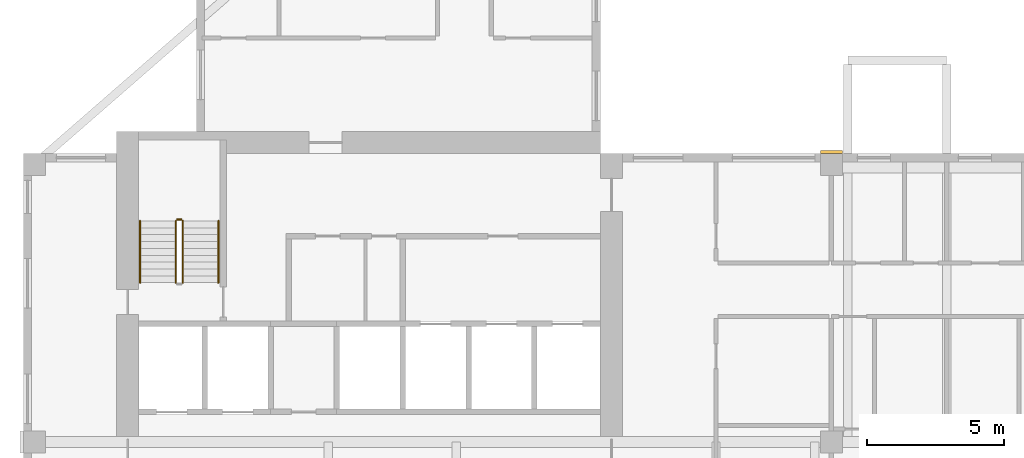
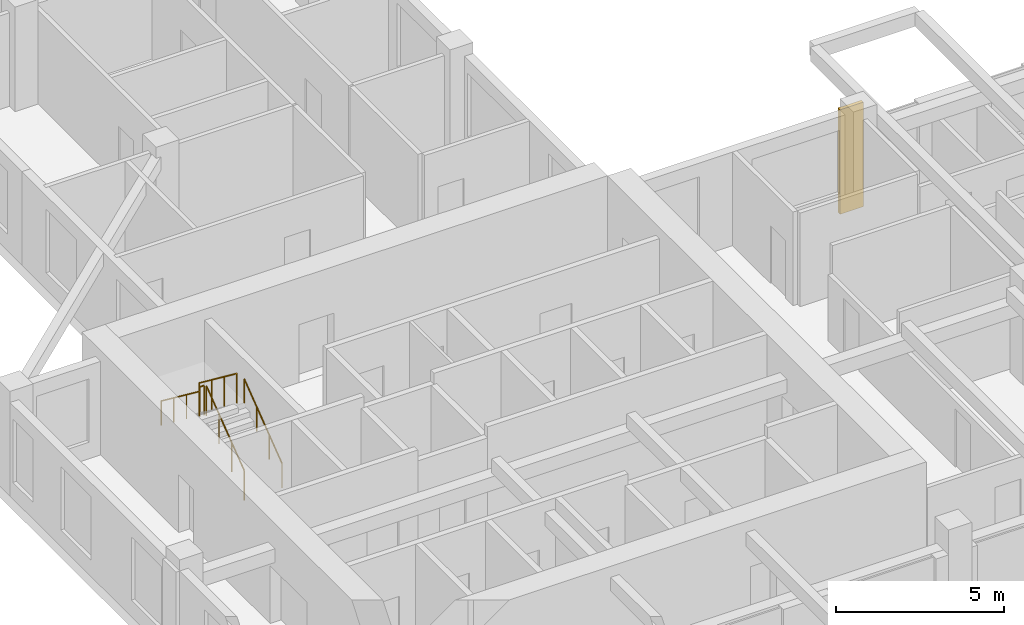
# One storey, part 9 of 11: 5 railings, 1 covering.
"""IFC4 building model written with IfcOpenShell, lengths in metres."""

from ifc_helpers import new_model, si_unit, direction, frame, origin, origin_2d, place, context, subcontext, project, spatial, rectangle, circle, extrude, source, transform, mapped, material, type_object, element, save


model = new_model("IFC4")

# Units and contexts
model_context = context("Model", 3, precision=1e-05, world=origin(), true_north=direction((0.0, 1.0)))
body_context = subcontext(model_context, "Body", "Model", "MODEL_VIEW")
ifc_project = project(units=[si_unit("LENGTHUNIT", "METRE"), si_unit("AREAUNIT", "SQUARE_METRE"), si_unit("VOLUMEUNIT", "CUBIC_METRE"), si_unit("PLANEANGLEUNIT", "RADIAN"), si_unit("MASSUNIT", "GRAM", prefix="KILO")], contexts=[model_context])

# Site, building, storey
site_placement = place(None, origin())
site = spatial("IfcSite", under=ifc_project, at=site_placement, CompositionType="ELEMENT")
building_placement = place(site_placement, origin())
building = spatial("IfcBuilding", under=site, at=building_placement, Name="Aurelian Terraces", CompositionType="ELEMENT")
storey_placement = place(building_placement, frame((0.0, 0.0, 227.2)))
storey = spatial("IfcBuildingStorey", under=building, at=storey_placement, Name="L51", CompositionType="ELEMENT", Elevation=227.2)

# Covering
ifc_material_1 = material(Name="Terracotta rainscreen cladding relief", Category="masonry")
covering_type = type_object("IfcCoveringType", Name="BAGUETTE-TC", PredefinedType="CLADDING", material=ifc_material_1)
shared_shape_1 = source(origin(), body_context, "Body", "SweptSolid", [
    extrude(rectangle(XDim=0.8, YDim=0.12, at=origin_2d()), origin(), (0.0, 0.0, 1.0), 3.8),
])
covering_placement = place(storey_placement, frame((29.4, 21.06, -0.4), z_axis=(0.0, 0.0, 1.0), x_axis=(1.0, 0.0, 0.0)))
element("IfcCovering", 1, at=covering_placement, inside=storey, type_object=covering_type, Name="BAGUETTE pier L51 5", PredefinedType="CLADDING", context=body_context, shape_type="MappedRepresentation", body=[
    mapped(shared_shape_1, transform((0.0, 0.0, 0.0), scale=1.0)),
])

# Railings
ifc_material_2 = material(Name="Stainless steel", Category="steel")
railing_type_1 = type_object("IfcRailingType", Name="Stair guard 1100", PredefinedType="GUARDRAIL", material=ifc_material_2)
shared_shape_2 = source(origin(), body_context, "Body", "SweptSolid", [
    extrude(circle(Radius=0.024, at=origin_2d()), frame((0.0, 0.0, 1.076), z_axis=(-1.0, 0.0, 0.0), x_axis=(0.0, -1.0, 0.0)), (0.0, 0.0, 1.0), 0.15),
    extrude(circle(Radius=0.021, at=origin_2d()), origin(), (0.0, 0.0, 1.0), 1.052),
    extrude(circle(Radius=0.021, at=origin_2d()), frame((-0.15, 0.0, 0.0)), (0.0, 0.0, 1.0), 1.052),
])
railing_1_placement = place(storey_placement, frame((5.75, 18.6, 1.9)))
element("IfcRailing", 2, at=railing_1_placement, inside=storey, type_object=railing_type_1, Name="L51 S1 stair guard 2", PredefinedType="GUARDRAIL", context=body_context, shape_type="MappedRepresentation", body=[
    mapped(shared_shape_2, transform((0.0, 0.0, 0.0), scale=1.0)),
])
shared_shape_3 = source(origin(), body_context, "Body", "SweptSolid", [
    extrude(circle(Radius=0.024, at=origin_2d()), frame((0.0, 0.0, 1.076), z_axis=(0.0, 0.796162194123, 0.605083267534), x_axis=(-1.0, 0.0, 0.0)), (0.0, 0.0, 1.0), 2.8261),
    extrude(circle(Radius=0.021, at=origin_2d()), origin(), (0.0, 0.0, 1.0), 1.052),
    extrude(circle(Radius=0.021, at=origin_2d()), frame((0.0, 0.75, 0.57)), (0.0, 0.0, 1.0), 1.052),
    extrude(circle(Radius=0.021, at=origin_2d()), frame((0.0, 1.5, 1.14)), (0.0, 0.0, 1.0), 1.052),
    extrude(circle(Radius=0.021, at=origin_2d()), frame((0.0, 2.25, 1.71)), (0.0, 0.0, 1.0), 1.052),
])
railing_2_placement = place(storey_placement, frame((5.8, 16.3, 0.19)))
element("IfcRailing", 3, at=railing_2_placement, inside=storey, type_object=railing_type_1, Name="L51 S1 stair guard 1", PredefinedType="GUARDRAIL", context=body_context, shape_type="MappedRepresentation", body=[
    mapped(shared_shape_3, transform((0.0, 0.0, 0.0), scale=1.0)),
])
shared_shape_4 = source(origin(), body_context, "Body", "SweptSolid", [
    extrude(circle(Radius=0.024, at=origin_2d()), frame((0.0, 0.0, 1.076), z_axis=(0.0, -0.796162194123, 0.605083267534), x_axis=(1.0, 0.0, 0.0)), (0.0, 0.0, 1.0), 2.8261),
    extrude(circle(Radius=0.021, at=origin_2d()), origin(), (0.0, 0.0, 1.0), 1.052),
    extrude(circle(Radius=0.021, at=origin_2d()), frame((0.0, -0.75, 0.57)), (0.0, 0.0, 1.0), 1.052),
    extrude(circle(Radius=0.021, at=origin_2d()), frame((0.0, -1.5, 1.14)), (0.0, 0.0, 1.0), 1.052),
    extrude(circle(Radius=0.021, at=origin_2d()), frame((0.0, -2.25, 1.71)), (0.0, 0.0, 1.0), 1.052),
])
railing_3_placement = place(storey_placement, frame((5.55, 18.55, 2.09)))
element("IfcRailing", 4, at=railing_3_placement, inside=storey, type_object=railing_type_1, Name="L51 S1 stair guard 3", PredefinedType="GUARDRAIL", context=body_context, shape_type="MappedRepresentation", body=[
    mapped(shared_shape_4, transform((0.0, 0.0, 0.0), scale=1.0)),
])
railing_type_2 = type_object("IfcRailingType", Name="Stair handrail", PredefinedType="HANDRAIL", material=ifc_material_2)
shared_shape_5 = source(origin(), body_context, "Body", "SweptSolid", [
    extrude(circle(Radius=0.024, at=origin_2d()), frame((0.0, 0.0, 0.876), z_axis=(0.0, 0.796162194123, 0.605083267534), x_axis=(-1.0, 0.0, 0.0)), (0.0, 0.0, 1.0), 2.8261),
    extrude(circle(Radius=0.021, at=origin_2d()), origin(), (0.0, 0.0, 1.0), 0.852),
    extrude(circle(Radius=0.021, at=origin_2d()), frame((0.0, 0.75, 0.57)), (0.0, 0.0, 1.0), 0.852),
    extrude(circle(Radius=0.021, at=origin_2d()), frame((0.0, 1.5, 1.14)), (0.0, 0.0, 1.0), 0.852),
    extrude(circle(Radius=0.021, at=origin_2d()), frame((0.0, 2.25, 1.71)), (0.0, 0.0, 1.0), 0.852),
])
railing_4_placement = place(storey_placement, frame((7.1, 16.3, 0.19)))
element("IfcRailing", 5, at=railing_4_placement, inside=storey, type_object=railing_type_2, Name="L51 S1 stair handrail 1", PredefinedType="HANDRAIL", context=body_context, shape_type="MappedRepresentation", body=[
    mapped(shared_shape_5, transform((0.0, 0.0, 0.0), scale=1.0)),
])
shared_shape_6 = source(origin(), body_context, "Body", "SweptSolid", [
    extrude(circle(Radius=0.024, at=origin_2d()), frame((0.0, 0.0, 0.876), z_axis=(0.0, -0.796162194123, 0.605083267534), x_axis=(1.0, 0.0, 0.0)), (0.0, 0.0, 1.0), 2.8261),
    extrude(circle(Radius=0.021, at=origin_2d()), origin(), (0.0, 0.0, 1.0), 0.852),
    extrude(circle(Radius=0.021, at=origin_2d()), frame((0.0, -0.75, 0.57)), (0.0, 0.0, 1.0), 0.852),
    extrude(circle(Radius=0.021, at=origin_2d()), frame((0.0, -1.5, 1.14)), (0.0, 0.0, 1.0), 0.852),
    extrude(circle(Radius=0.021, at=origin_2d()), frame((0.0, -2.25, 1.71)), (0.0, 0.0, 1.0), 0.852),
])
railing_5_placement = place(storey_placement, frame((4.25, 18.55, 2.09)))
element("IfcRailing", 6, at=railing_5_placement, inside=storey, type_object=railing_type_2, Name="L51 S1 stair handrail 2", PredefinedType="HANDRAIL", context=body_context, shape_type="MappedRepresentation", body=[
    mapped(shared_shape_6, transform((0.0, 0.0, 0.0), scale=1.0)),
])

save(model, "model.ifc")
